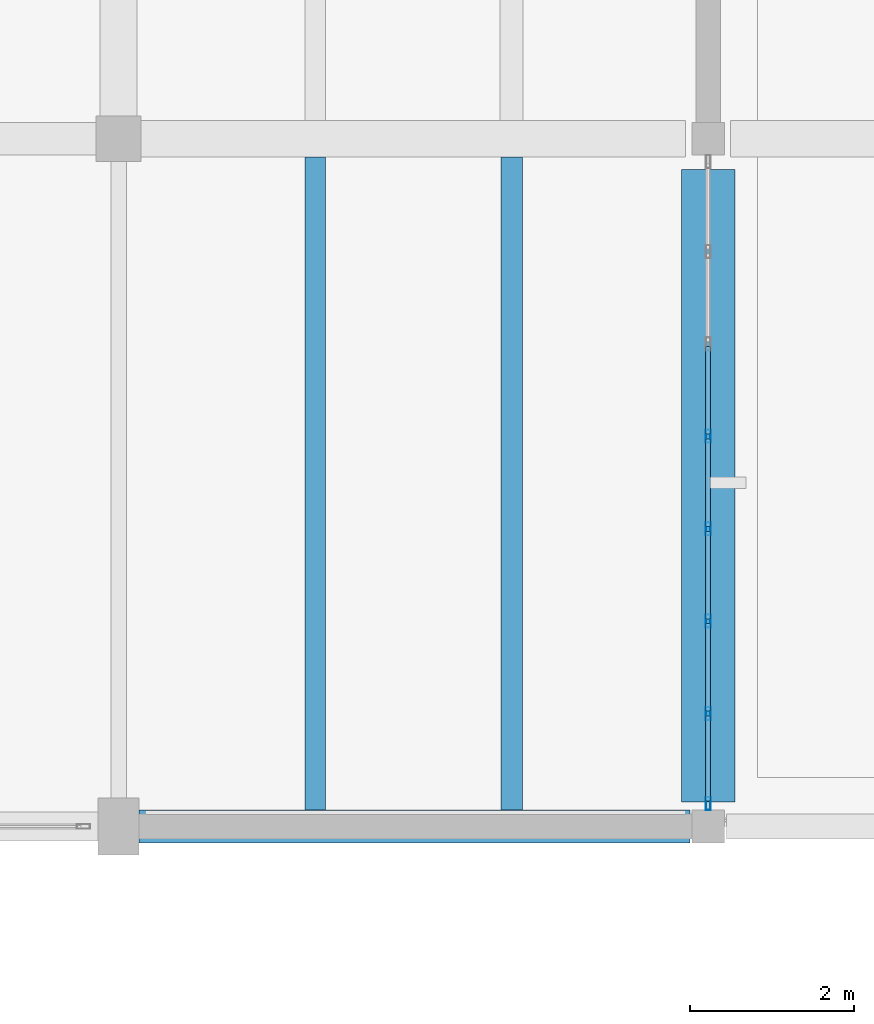
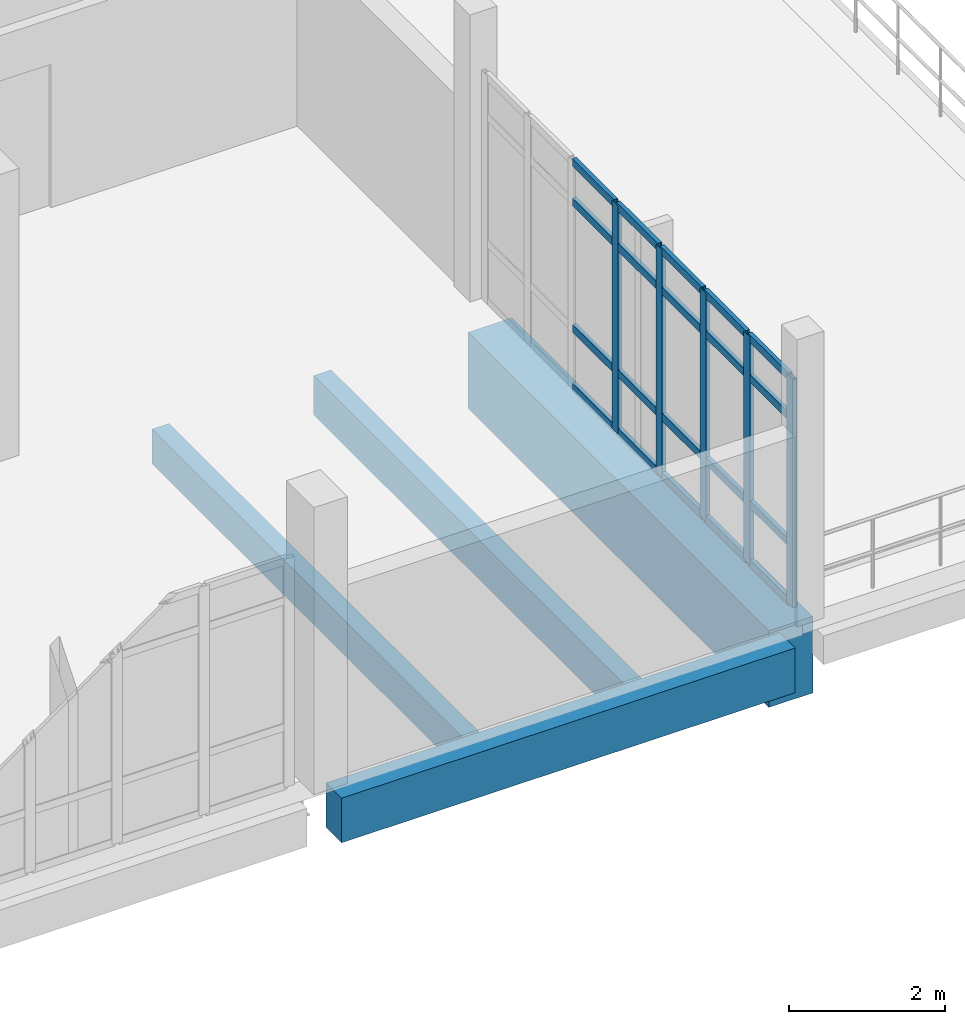
# One storey, part 36 of 62: 25 members, 4 beams, 1 element without a shape of its own.
"""IFC4 building model written with IfcOpenShell, lengths in metres."""

from ifc_helpers import new_model, si_unit, direction, frame, origin, origin_2d, place, context, subcontext, project, spatial, rectangle, hollow_rectangle, extrude, material, material_profile, profile_set, type_object, element, aggregate, save


model = new_model("IFC4")

# Units and contexts
model_context = context("Model", 3, precision=1e-05, world=origin(), true_north=direction((0.0, 1.0)))
body_context = subcontext(model_context, "Body", "Model", "MODEL_VIEW")
ifc_project = project(units=[si_unit("LENGTHUNIT", "METRE"), si_unit("AREAUNIT", "SQUARE_METRE"), si_unit("VOLUMEUNIT", "CUBIC_METRE"), si_unit("PLANEANGLEUNIT", "RADIAN"), si_unit("MASSUNIT", "GRAM", prefix="KILO")], contexts=[model_context])

# Site, building, storey
site_placement = place(None, origin())
site = spatial("IfcSite", under=ifc_project, at=site_placement, CompositionType="ELEMENT")
building_placement = place(site_placement, origin())
building = spatial("IfcBuilding", under=site, at=building_placement, Name="Kalluvel Institute of Natural Sciences", CompositionType="ELEMENT")
storey_placement = place(building_placement, frame((0.0, 0.0, 27.89990234375)))
storey = spatial("IfcBuildingStorey", under=building, at=storey_placement, Name="L06", CompositionType="ELEMENT", Elevation=27.89990234375)

# Beam
ifc_material_1 = material(Name="Concrete M50", Category="concrete")
ifc_material_profile_1 = material_profile(ifc_material_1, rectangle(XDim=0.64990234375, YDim=1.199951171875, at=origin_2d()), Name="RCB 650x1200")
ifc_profile_set_1 = profile_set([ifc_material_profile_1], Name="Concrete M50")
beam_type_1 = type_object("IfcBeamType", Name="BM-RC650x1200", PredefinedType="BEAM", material=ifc_profile_set_1)
beam_1_placement = place(storey_placement, frame((107.60009765625, 103.10009765625, -0.919921875), z_axis=(0.0, 1.0, 0.0), x_axis=(-1.0, 0.0, 0.0)))
element("IfcBeam", 1, at=beam_1_placement, inside=storey, type_object=beam_type_1, Name="L06 girder GIR-L06-NS-X1076-Y1028", PredefinedType="BEAM", context=body_context, shape_type="SweptSolid", body=[
    extrude(rectangle(XDim=0.64990234375, YDim=1.199951171875, at=origin_2d()), origin(), (0.0, 0.0, 1.0), 7.724853515625),
])

# Curtain wall, members
ifc_material_2 = material(Name="Aluminium AW-6063 T6", Category="aluminium")
curtain_wall_type = type_object("IfcCurtainWallType", Name="CW-WET-45", PredefinedType="USERDEFINED", material=ifc_material_2)
curtain_wall_placement = place(storey_placement, origin())
curtain_wall = element("IfcCurtainWall", 2, at=curtain_wall_placement, inside=storey, type_object=curtain_wall_type, Name="L06 Gothic lancet curtain wall CWA-L06-X1076-Y1030", ObjectType="UNITISED LANCET FACADE", PredefinedType="USERDEFINED")
ifc_material_profile_2 = material_profile(ifc_material_2, hollow_rectangle(XDim=0.06005859375, YDim=0.159912109375, WallThickness=0.00390625, at=origin_2d()), Name="CWM 60x160")
ifc_profile_set_2 = profile_set([ifc_material_profile_2], Name="Aluminium AW-6063 T6")
member_type_1 = type_object("IfcMemberType", Name="CWM-60x160", PredefinedType="MULLION", material=ifc_profile_set_2)
member_1_placement = place(storey_placement, frame((107.60009765625, 103.080078125, 0.0), z_axis=(0.0, 0.0, 1.0), x_axis=(-1.0, 0.0, 0.0)))
member_1 = element("IfcMember", 3, at=member_1_placement, type_object=member_type_1, Name="CW-01 mullion 1", PredefinedType="MULLION", context=body_context, shape_type="SweptSolid", body=[
    extrude(hollow_rectangle(XDim=0.06005859375, YDim=0.159912109375, WallThickness=0.00390625, at=origin_2d()), origin(), (0.0, 0.0, 1.0), 3.580078125),
])
member_2_placement = place(storey_placement, frame((107.60009765625, 104.178466796875, 0.0), z_axis=(0.0, 0.0, 1.0), x_axis=(-1.0, 0.0, 0.0)))
member_2 = element("IfcMember", 4, at=member_2_placement, type_object=member_type_1, Name="CW-01 mullion 2", PredefinedType="MULLION", context=body_context, shape_type="SweptSolid", body=[
    extrude(hollow_rectangle(XDim=0.06005859375, YDim=0.159912109375, WallThickness=0.00390625, at=origin_2d()), origin(), (0.0, 0.0, 1.0), 3.580078125),
])
member_3_placement = place(storey_placement, frame((107.60009765625, 105.30712890625, 0.0), z_axis=(0.0, 0.0, 1.0), x_axis=(-1.0, 0.0, 0.0)))
member_3 = element("IfcMember", 5, at=member_3_placement, type_object=member_type_1, Name="CW-01 mullion 3", PredefinedType="MULLION", context=body_context, shape_type="SweptSolid", body=[
    extrude(hollow_rectangle(XDim=0.06005859375, YDim=0.159912109375, WallThickness=0.00390625, at=origin_2d()), origin(), (0.0, 0.0, 1.0), 3.580078125),
])
member_4_placement = place(storey_placement, frame((107.60009765625, 106.435791015625, 0.0), z_axis=(0.0, 0.0, 1.0), x_axis=(-1.0, 0.0, 0.0)))
member_4 = element("IfcMember", 6, at=member_4_placement, type_object=member_type_1, Name="CW-01 mullion 4", PredefinedType="MULLION", context=body_context, shape_type="SweptSolid", body=[
    extrude(hollow_rectangle(XDim=0.06005859375, YDim=0.159912109375, WallThickness=0.00390625, at=origin_2d()), origin(), (0.0, 0.0, 1.0), 3.580078125),
])
member_5_placement = place(storey_placement, frame((107.60009765625, 107.564208984375, 0.0), z_axis=(0.0, 0.0, 1.0), x_axis=(-1.0, 0.0, 0.0)))
member_5 = element("IfcMember", 7, at=member_5_placement, type_object=member_type_1, Name="CW-01 mullion 5", PredefinedType="MULLION", context=body_context, shape_type="SweptSolid", body=[
    extrude(hollow_rectangle(XDim=0.06005859375, YDim=0.159912109375, WallThickness=0.00390625, at=origin_2d()), origin(), (0.0, 0.0, 1.0), 3.580078125),
])
ifc_material_profile_3 = material_profile(ifc_material_2, hollow_rectangle(XDim=0.06005859375, YDim=0.1201171875, WallThickness=0.00390625, at=origin_2d()), Name="CWT 60x120")
ifc_profile_set_3 = profile_set([ifc_material_profile_3], Name="Aluminium AW-6063 T6")
member_type_2 = type_object("IfcMemberType", Name="CWT-60x120", PredefinedType="USERDEFINED", material=ifc_profile_set_3)
member_6_placement = place(storey_placement, frame((107.60009765625, 103.110107421875, 0.030029296875), z_axis=(0.0, 1.0, 0.0), x_axis=(-1.0, 0.0, 0.0)))
member_6 = element("IfcMember", 8, at=member_6_placement, type_object=member_type_2, Name="CW-01 transom 1.1", ObjectType="TRANSOM", PredefinedType="USERDEFINED", context=body_context, shape_type="SweptSolid", body=[
    extrude(hollow_rectangle(XDim=0.06005859375, YDim=0.1201171875, WallThickness=0.00390625, at=origin_2d()), origin(), (0.0, 0.0, 1.0), 1.03857421875),
])
member_7_placement = place(storey_placement, frame((107.60009765625, 103.110107421875, 0.9501953125), z_axis=(0.0, 1.0, 0.0), x_axis=(-1.0, 0.0, 0.0)))
member_7 = element("IfcMember", 9, at=member_7_placement, type_object=member_type_2, Name="CW-01 transom 1.2", ObjectType="TRANSOM", PredefinedType="USERDEFINED", context=body_context, shape_type="SweptSolid", body=[
    extrude(hollow_rectangle(XDim=0.06005859375, YDim=0.1201171875, WallThickness=0.00390625, at=origin_2d()), origin(), (0.0, 0.0, 1.0), 1.03857421875),
])
member_8_placement = place(storey_placement, frame((107.60009765625, 103.110107421875, 2.93017578125), z_axis=(0.0, 1.0, 0.0), x_axis=(-1.0, 0.0, 0.0)))
member_8 = element("IfcMember", 10, at=member_8_placement, type_object=member_type_2, Name="CW-01 transom 1.3", ObjectType="TRANSOM", PredefinedType="USERDEFINED", context=body_context, shape_type="SweptSolid", body=[
    extrude(hollow_rectangle(XDim=0.06005859375, YDim=0.1201171875, WallThickness=0.00390625, at=origin_2d()), origin(), (0.0, 0.0, 1.0), 1.03857421875),
])
member_9_placement = place(storey_placement, frame((107.60009765625, 103.110107421875, 3.550048828125), z_axis=(0.0, 1.0, 0.0), x_axis=(-1.0, 0.0, 0.0)))
member_9 = element("IfcMember", 11, at=member_9_placement, type_object=member_type_2, Name="CW-01 transom 1.4", ObjectType="TRANSOM", PredefinedType="USERDEFINED", context=body_context, shape_type="SweptSolid", body=[
    extrude(hollow_rectangle(XDim=0.06005859375, YDim=0.1201171875, WallThickness=0.00390625, at=origin_2d()), origin(), (0.0, 0.0, 1.0), 1.03857421875),
])
member_10_placement = place(storey_placement, frame((107.60009765625, 104.20849609375, 0.030029296875), z_axis=(0.0, 1.0, 0.0), x_axis=(-1.0, 0.0, 0.0)))
member_10 = element("IfcMember", 12, at=member_10_placement, type_object=member_type_2, Name="CW-01 transom 2.1", ObjectType="TRANSOM", PredefinedType="USERDEFINED", context=body_context, shape_type="SweptSolid", body=[
    extrude(hollow_rectangle(XDim=0.06005859375, YDim=0.1201171875, WallThickness=0.00390625, at=origin_2d()), origin(), (0.0, 0.0, 1.0), 1.068603515625),
])
member_11_placement = place(storey_placement, frame((107.60009765625, 104.20849609375, 0.9501953125), z_axis=(0.0, 1.0, 0.0), x_axis=(-1.0, 0.0, 0.0)))
member_11 = element("IfcMember", 13, at=member_11_placement, type_object=member_type_2, Name="CW-01 transom 2.2", ObjectType="TRANSOM", PredefinedType="USERDEFINED", context=body_context, shape_type="SweptSolid", body=[
    extrude(hollow_rectangle(XDim=0.06005859375, YDim=0.1201171875, WallThickness=0.00390625, at=origin_2d()), origin(), (0.0, 0.0, 1.0), 1.068603515625),
])
member_12_placement = place(storey_placement, frame((107.60009765625, 104.20849609375, 2.93017578125), z_axis=(0.0, 1.0, 0.0), x_axis=(-1.0, 0.0, 0.0)))
member_12 = element("IfcMember", 14, at=member_12_placement, type_object=member_type_2, Name="CW-01 transom 2.3", ObjectType="TRANSOM", PredefinedType="USERDEFINED", context=body_context, shape_type="SweptSolid", body=[
    extrude(hollow_rectangle(XDim=0.06005859375, YDim=0.1201171875, WallThickness=0.00390625, at=origin_2d()), origin(), (0.0, 0.0, 1.0), 1.068603515625),
])
member_13_placement = place(storey_placement, frame((107.60009765625, 104.20849609375, 3.550048828125), z_axis=(0.0, 1.0, 0.0), x_axis=(-1.0, 0.0, 0.0)))
member_13 = element("IfcMember", 15, at=member_13_placement, type_object=member_type_2, Name="CW-01 transom 2.4", ObjectType="TRANSOM", PredefinedType="USERDEFINED", context=body_context, shape_type="SweptSolid", body=[
    extrude(hollow_rectangle(XDim=0.06005859375, YDim=0.1201171875, WallThickness=0.00390625, at=origin_2d()), origin(), (0.0, 0.0, 1.0), 1.068603515625),
])
member_14_placement = place(storey_placement, frame((107.60009765625, 105.337158203125, 0.030029296875), z_axis=(0.0, 1.0, 0.0), x_axis=(-1.0, 0.0, 0.0)))
member_14 = element("IfcMember", 16, at=member_14_placement, type_object=member_type_2, Name="CW-01 transom 3.1", ObjectType="TRANSOM", PredefinedType="USERDEFINED", context=body_context, shape_type="SweptSolid", body=[
    extrude(hollow_rectangle(XDim=0.06005859375, YDim=0.1201171875, WallThickness=0.00390625, at=origin_2d()), origin(), (0.0, 0.0, 1.0), 1.068603515625),
])
member_15_placement = place(storey_placement, frame((107.60009765625, 105.337158203125, 0.9501953125), z_axis=(0.0, 1.0, 0.0), x_axis=(-1.0, 0.0, 0.0)))
member_15 = element("IfcMember", 17, at=member_15_placement, type_object=member_type_2, Name="CW-01 transom 3.2", ObjectType="TRANSOM", PredefinedType="USERDEFINED", context=body_context, shape_type="SweptSolid", body=[
    extrude(hollow_rectangle(XDim=0.06005859375, YDim=0.1201171875, WallThickness=0.00390625, at=origin_2d()), origin(), (0.0, 0.0, 1.0), 1.068603515625),
])
member_16_placement = place(storey_placement, frame((107.60009765625, 105.337158203125, 2.93017578125), z_axis=(0.0, 1.0, 0.0), x_axis=(-1.0, 0.0, 0.0)))
member_16 = element("IfcMember", 18, at=member_16_placement, type_object=member_type_2, Name="CW-01 transom 3.3", ObjectType="TRANSOM", PredefinedType="USERDEFINED", context=body_context, shape_type="SweptSolid", body=[
    extrude(hollow_rectangle(XDim=0.06005859375, YDim=0.1201171875, WallThickness=0.00390625, at=origin_2d()), origin(), (0.0, 0.0, 1.0), 1.068603515625),
])
member_17_placement = place(storey_placement, frame((107.60009765625, 105.337158203125, 3.550048828125), z_axis=(0.0, 1.0, 0.0), x_axis=(-1.0, 0.0, 0.0)))
member_17 = element("IfcMember", 19, at=member_17_placement, type_object=member_type_2, Name="CW-01 transom 3.4", ObjectType="TRANSOM", PredefinedType="USERDEFINED", context=body_context, shape_type="SweptSolid", body=[
    extrude(hollow_rectangle(XDim=0.06005859375, YDim=0.1201171875, WallThickness=0.00390625, at=origin_2d()), origin(), (0.0, 0.0, 1.0), 1.068603515625),
])
member_18_placement = place(storey_placement, frame((107.60009765625, 106.4658203125, 0.030029296875), z_axis=(0.0, 1.0, 0.0), x_axis=(-1.0, 0.0, 0.0)))
member_18 = element("IfcMember", 20, at=member_18_placement, type_object=member_type_2, Name="CW-01 transom 4.1", ObjectType="TRANSOM", PredefinedType="USERDEFINED", context=body_context, shape_type="SweptSolid", body=[
    extrude(hollow_rectangle(XDim=0.06005859375, YDim=0.1201171875, WallThickness=0.00390625, at=origin_2d()), origin(), (0.0, 0.0, 1.0), 1.068359375),
])
member_19_placement = place(storey_placement, frame((107.60009765625, 106.4658203125, 0.9501953125), z_axis=(0.0, 1.0, 0.0), x_axis=(-1.0, 0.0, 0.0)))
member_19 = element("IfcMember", 21, at=member_19_placement, type_object=member_type_2, Name="CW-01 transom 4.2", ObjectType="TRANSOM", PredefinedType="USERDEFINED", context=body_context, shape_type="SweptSolid", body=[
    extrude(hollow_rectangle(XDim=0.06005859375, YDim=0.1201171875, WallThickness=0.00390625, at=origin_2d()), origin(), (0.0, 0.0, 1.0), 1.068359375),
])
member_20_placement = place(storey_placement, frame((107.60009765625, 106.4658203125, 2.93017578125), z_axis=(0.0, 1.0, 0.0), x_axis=(-1.0, 0.0, 0.0)))
member_20 = element("IfcMember", 22, at=member_20_placement, type_object=member_type_2, Name="CW-01 transom 4.3", ObjectType="TRANSOM", PredefinedType="USERDEFINED", context=body_context, shape_type="SweptSolid", body=[
    extrude(hollow_rectangle(XDim=0.06005859375, YDim=0.1201171875, WallThickness=0.00390625, at=origin_2d()), origin(), (0.0, 0.0, 1.0), 1.068359375),
])
member_21_placement = place(storey_placement, frame((107.60009765625, 106.4658203125, 3.550048828125), z_axis=(0.0, 1.0, 0.0), x_axis=(-1.0, 0.0, 0.0)))
member_21 = element("IfcMember", 23, at=member_21_placement, type_object=member_type_2, Name="CW-01 transom 4.4", ObjectType="TRANSOM", PredefinedType="USERDEFINED", context=body_context, shape_type="SweptSolid", body=[
    extrude(hollow_rectangle(XDim=0.06005859375, YDim=0.1201171875, WallThickness=0.00390625, at=origin_2d()), origin(), (0.0, 0.0, 1.0), 1.068359375),
])
member_22_placement = place(storey_placement, frame((107.60009765625, 107.59423828125, 0.030029296875), z_axis=(0.0, 1.0, 0.0), x_axis=(-1.0, 0.0, 0.0)))
member_22 = element("IfcMember", 24, at=member_22_placement, type_object=member_type_2, Name="CW-01 transom 5.1", ObjectType="TRANSOM", PredefinedType="USERDEFINED", context=body_context, shape_type="SweptSolid", body=[
    extrude(hollow_rectangle(XDim=0.06005859375, YDim=0.1201171875, WallThickness=0.00390625, at=origin_2d()), origin(), (0.0, 0.0, 1.0), 1.068603515625),
])
member_23_placement = place(storey_placement, frame((107.60009765625, 107.59423828125, 0.9501953125), z_axis=(0.0, 1.0, 0.0), x_axis=(-1.0, 0.0, 0.0)))
member_23 = element("IfcMember", 25, at=member_23_placement, type_object=member_type_2, Name="CW-01 transom 5.2", ObjectType="TRANSOM", PredefinedType="USERDEFINED", context=body_context, shape_type="SweptSolid", body=[
    extrude(hollow_rectangle(XDim=0.06005859375, YDim=0.1201171875, WallThickness=0.00390625, at=origin_2d()), origin(), (0.0, 0.0, 1.0), 1.068603515625),
])
member_24_placement = place(storey_placement, frame((107.60009765625, 107.59423828125, 2.93017578125), z_axis=(0.0, 1.0, 0.0), x_axis=(-1.0, 0.0, 0.0)))
member_24 = element("IfcMember", 26, at=member_24_placement, type_object=member_type_2, Name="CW-01 transom 5.3", ObjectType="TRANSOM", PredefinedType="USERDEFINED", context=body_context, shape_type="SweptSolid", body=[
    extrude(hollow_rectangle(XDim=0.06005859375, YDim=0.1201171875, WallThickness=0.00390625, at=origin_2d()), origin(), (0.0, 0.0, 1.0), 1.068603515625),
])
member_25_placement = place(storey_placement, frame((107.60009765625, 107.59423828125, 3.550048828125), z_axis=(0.0, 1.0, 0.0), x_axis=(-1.0, 0.0, 0.0)))
member_25 = element("IfcMember", 27, at=member_25_placement, type_object=member_type_2, Name="CW-01 transom 5.4", ObjectType="TRANSOM", PredefinedType="USERDEFINED", context=body_context, shape_type="SweptSolid", body=[
    extrude(hollow_rectangle(XDim=0.06005859375, YDim=0.1201171875, WallThickness=0.00390625, at=origin_2d()), origin(), (0.0, 0.0, 1.0), 1.068603515625),
])
aggregate(curtain_wall, [member_1, member_2, member_3, member_4, member_5, member_6, member_7, member_8, member_9, member_10, member_11, member_12, member_13, member_14, member_15, member_16, member_17, member_18, member_19, member_20, member_21, member_22, member_23, member_24, member_25])

# Beams
ifc_material_3 = material(Name="Concrete M40", Category="concrete")
ifc_material_profile_4 = material_profile(ifc_material_3, rectangle(XDim=0.39990234375, YDim=0.699951171875, at=origin_2d()), Name="RCB 400x700")
ifc_profile_set_4 = profile_set([ifc_material_profile_4], Name="Concrete M40")
beam_type_2 = type_object("IfcBeamType", Name="SP-RC400x700", PredefinedType="SPANDREL", material=ifc_profile_set_4)
beam_2_placement = place(storey_placement, frame((100.64990234375, 102.800048828125, -0.669921875), z_axis=(1.0, 0.0, 0.0), x_axis=(0.0, 1.0, 0.0)))
element("IfcBeam", 28, at=beam_2_placement, inside=storey, type_object=beam_type_2, Name="L06 girder GIR-L06-EW-X1004-Y1028", PredefinedType="SPANDREL", context=body_context, shape_type="SweptSolid", body=[
    extrude(rectangle(XDim=0.39990234375, YDim=0.699951171875, at=origin_2d()), origin(), (0.0, 0.0, 1.0), 6.72509765625),
])
ifc_material_profile_5 = material_profile(ifc_material_3, rectangle(XDim=0.25, YDim=0.550048828125, at=origin_2d()), Name="WAF 250x550")
ifc_profile_set_5 = profile_set([ifc_material_profile_5], Name="Concrete M40")
beam_type_3 = type_object("IfcBeamType", Name="WJ-250x550", PredefinedType="JOIST", material=ifc_profile_set_5)
beam_3_placement = place(storey_placement, frame((102.800048828125, 103.0, -0.594970703125), z_axis=(0.0, 1.0, 0.0), x_axis=(-1.0, 0.0, 0.0)))
element("IfcBeam", 29, at=beam_3_placement, inside=storey, type_object=beam_type_3, Name="L06 waffle joist RIB-L06-0506", PredefinedType="JOIST", context=body_context, shape_type="SweptSolid", body=[
    extrude(rectangle(XDim=0.25, YDim=0.550048828125, at=origin_2d()), origin(), (0.0, 0.0, 1.0), 7.97509765625),
])
ifc_material_profile_6 = material_profile(ifc_material_1, rectangle(XDim=0.260009765625, YDim=0.6201171875, at=origin_2d()), Name="WAF 260x620")
ifc_profile_set_6 = profile_set([ifc_material_profile_6], Name="Concrete M50")
beam_type_4 = type_object("IfcBeamType", Name="WJ-260x620", PredefinedType="JOIST", material=ifc_profile_set_6)
beam_4_placement = place(storey_placement, frame((105.199951171875, 103.0, -0.6298828125), z_axis=(0.0, 1.0, 0.0), x_axis=(-1.0, 0.0, 0.0)))
element("IfcBeam", 30, at=beam_4_placement, inside=storey, type_object=beam_type_4, Name="L06 waffle joist RIB-L06-0507", PredefinedType="JOIST", context=body_context, shape_type="SweptSolid", body=[
    extrude(rectangle(XDim=0.260009765625, YDim=0.6201171875, at=origin_2d()), origin(), (0.0, 0.0, 1.0), 7.97509765625),
])

save(model, "model.ifc")
